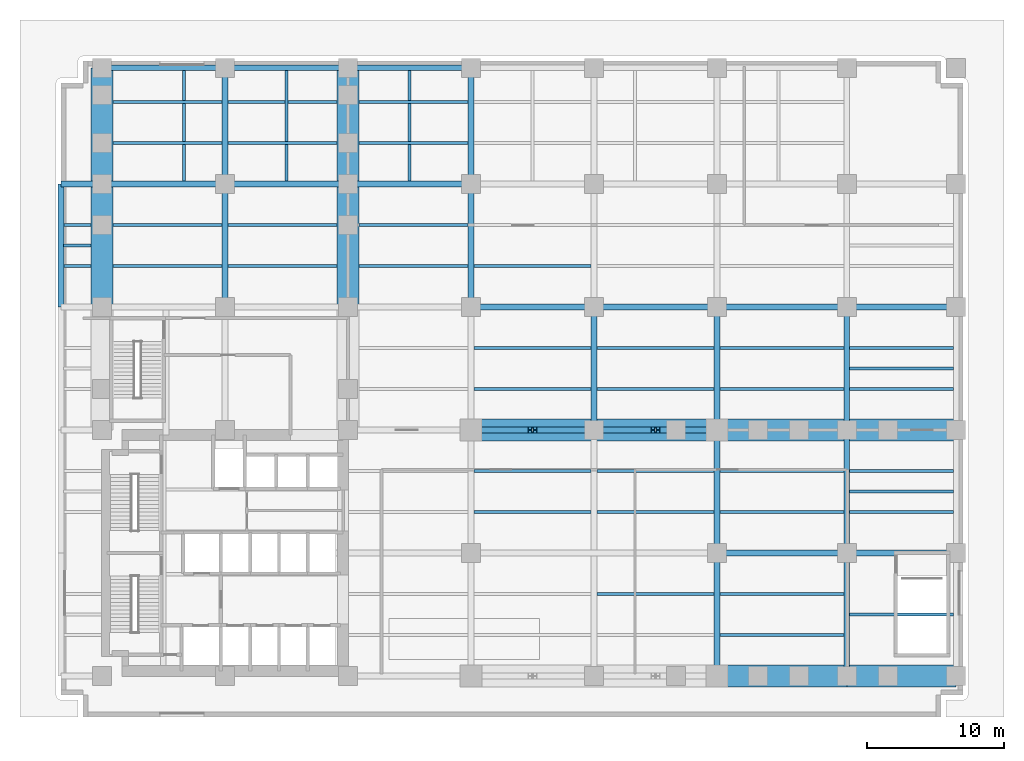
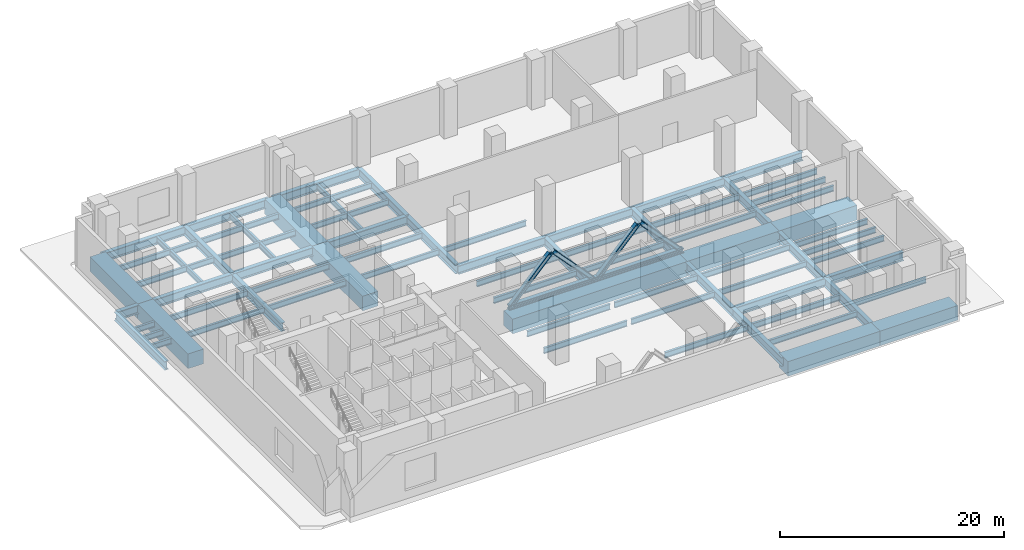
# One storey, part 2 of 8: 75 beams, 5 members.
"""IFC4 building model written with IfcOpenShell, lengths in metres."""

from ifc_helpers import new_model, si_unit, direction, frame, origin, origin_2d, place, context, subcontext, project, spatial, rectangle, i_section, extrude, material, material_profile, profile_set, type_object, element, save


model = new_model("IFC4")

# Units and contexts
model_context = context("Model", 3, precision=1e-05, world=origin(), true_north=direction((0.0, 1.0)))
body_context = subcontext(model_context, "Body", "Model", "MODEL_VIEW")
ifc_project = project(units=[si_unit("LENGTHUNIT", "METRE"), si_unit("AREAUNIT", "SQUARE_METRE"), si_unit("VOLUMEUNIT", "CUBIC_METRE"), si_unit("PLANEANGLEUNIT", "RADIAN"), si_unit("MASSUNIT", "GRAM", prefix="KILO")], contexts=[model_context])

# Site, building, storey
site_placement = place(None, origin())
site = spatial("IfcSite", under=ifc_project, at=site_placement, CompositionType="ELEMENT")
building_placement = place(site_placement, origin())
building = spatial("IfcBuilding", under=site, at=building_placement, Name="Mawjdan Bourse Tower", CompositionType="ELEMENT")
storey_placement = place(building_placement, frame((0.0, 0.0, 16.199951171875)))
storey = spatial("IfcBuildingStorey", under=building, at=storey_placement, Name="L03", CompositionType="ELEMENT", Elevation=16.199951171875)

# Members
ifc_material_1 = material(Name="Structural Steel S460", Category="steel")
ifc_material_profile_1 = material_profile(ifc_material_1, i_section(OverallWidth=0.406005859375, OverallDepth=0.416015625, WebThickness=0.02978515625, FlangeThickness=0.048095703125, FilletRadius=0.038330078125, at=origin_2d()), Name="W14X257")
ifc_profile_set_1 = profile_set([ifc_material_profile_1], Name="Structural Steel S460")
member_type_1 = type_object("IfcMemberType", Name="BRC-W14X257", PredefinedType="BRACE", material=ifc_profile_set_1)
for number, where, z_axis, x_axis, name in (
    (1, (33.179931640625, 21.0, 0.25), (0.682805863552, 0.0, 0.730599858129), (0.0, 1.0, 0.0), "L03 Tied-Arch Transfer Truss N Diagonal 1"),
    (2, (37.679931640625, 21.0, 4.679931640625), (0.682805863552, 0.0, -0.730599858129), (0.0, 1.0, 0.0), "L03 Tied-Arch Transfer Truss N Diagonal 2"),
    (3, (42.179931640625, 21.0, 0.25), (0.682805863552, 0.0, 0.730599858129), (0.0, 1.0, 0.0), "L03 Tied-Arch Transfer Truss N Diagonal 3"),
    (4, (46.679931640625, 21.0, 4.679931640625), (0.682805863552, 0.0, -0.730599858129), (0.0, 1.0, 0.0), "L03 Tied-Arch Transfer Truss N Diagonal 4"),
):
    element("IfcMember", number, at=place(storey_placement, frame(where, z_axis=z_axis, x_axis=x_axis)), inside=storey, type_object=member_type_1, Name=name, PredefinedType="BRACE", context=body_context, shape_type="SweptSolid", body=[
        extrude(i_section(OverallWidth=0.406005859375, OverallDepth=0.416015625, WebThickness=0.02978515625, FlangeThickness=0.048095703125, FilletRadius=0.038330078125, at=origin_2d()), origin(), (0.0, 0.0, 1.0), 6.0634765625),
    ])
ifc_material_profile_2 = material_profile(ifc_material_1, i_section(OverallWidth=0.431884765625, OverallDepth=0.498046875, WebThickness=0.0556640625, FlangeThickness=0.0888671875, FilletRadius=0.071044921875, at=origin_2d()), Name="W14X500")
ifc_profile_set_2 = profile_set([ifc_material_profile_2], Name="Structural Steel S460")
member_type_2 = type_object("IfcMemberType", Name="CHD-W14X500", PredefinedType="CHORD", material=ifc_profile_set_2)
member_placement = place(storey_placement, frame((33.0, 21.0, 0.25), z_axis=(1.0, 0.0, 0.0), x_axis=(0.0, 1.0, 0.0)))
element("IfcMember", 5, at=member_placement, inside=storey, type_object=member_type_2, Name="L03 Tied-Arch Transfer Truss N Bottom Chord", PredefinedType="CHORD", context=body_context, shape_type="SweptSolid", body=[
    extrude(i_section(OverallWidth=0.431884765625, OverallDepth=0.498046875, WebThickness=0.0556640625, FlangeThickness=0.0888671875, FilletRadius=0.071044921875, at=origin_2d()), origin(), (0.0, 0.0, 1.0), 18.0),
])

# Beams
ifc_material_profile_3 = material_profile(ifc_material_1, i_section(OverallWidth=0.423095703125, OverallDepth=0.93994140625, WebThickness=0.02392578125, FlangeThickness=0.042724609375, FilletRadius=0.0341796875, at=origin_2d()), Name="W36X302")
ifc_profile_set_3 = profile_set([ifc_material_profile_3], Name="Structural Steel S460")
beam_type_1 = type_object("IfcBeamType", Name="GRD-W36X302", PredefinedType="BEAM", material=ifc_profile_set_3)
for number, where, z_axis, x_axis, name in (
    (6, (3.0, 30.0, -1.070068359375), (0.0, 1.0, 0.0), (-1.0, 0.0, 0.0), "L03 Podium Primary Girder 020"),
    (7, (15.0, 30.0, -1.070068359375), (0.0, 1.0, 0.0), (-1.0, 0.0, 0.0), "L03 Podium Primary Girder 025"),
):
    element("IfcBeam", number, at=place(storey_placement, frame(where, z_axis=z_axis, x_axis=x_axis)), inside=storey, type_object=beam_type_1, Name=name, PredefinedType="BEAM", context=body_context, shape_type="SweptSolid", body=[
        extrude(i_section(OverallWidth=0.423095703125, OverallDepth=0.93994140625, WebThickness=0.02392578125, FlangeThickness=0.042724609375, FilletRadius=0.0341796875, at=origin_2d()), origin(), (0.0, 0.0, 1.0), 9.0),
    ])
beam_1_placement = place(storey_placement, frame((15.0, 39.0, -1.070068359375), z_axis=(0.0, 1.0, 0.0), x_axis=(-1.0, 0.0, 0.0)))
element("IfcBeam", 8, at=beam_1_placement, inside=storey, type_object=beam_type_1, Name="L03 Podium Primary Girder 026", PredefinedType="BEAM", context=body_context, shape_type="SweptSolid", body=[
    extrude(i_section(OverallWidth=0.423095703125, OverallDepth=0.93994140625, WebThickness=0.02392578125, FlangeThickness=0.042724609375, FilletRadius=0.0341796875, at=origin_2d()), origin(), (0.0, 0.0, 1.0), 8.5),
])
beam_2_placement = place(storey_placement, frame((33.0, 30.0, -1.070068359375), z_axis=(0.0, 1.0, 0.0), x_axis=(-1.0, 0.0, 0.0)))
element("IfcBeam", 9, at=beam_2_placement, inside=storey, type_object=beam_type_1, Name="L03 Podium Primary Girder 033", PredefinedType="BEAM", context=body_context, shape_type="SweptSolid", body=[
    extrude(i_section(OverallWidth=0.423095703125, OverallDepth=0.93994140625, WebThickness=0.02392578125, FlangeThickness=0.042724609375, FilletRadius=0.0341796875, at=origin_2d()), origin(), (0.0, 0.0, 1.0), 9.0),
])
beam_3_placement = place(storey_placement, frame((33.0, 39.0, -1.070068359375), z_axis=(0.0, 1.0, 0.0), x_axis=(-1.0, 0.0, 0.0)))
element("IfcBeam", 10, at=beam_3_placement, inside=storey, type_object=beam_type_1, Name="L03 Podium Primary Girder 034", PredefinedType="BEAM", context=body_context, shape_type="SweptSolid", body=[
    extrude(i_section(OverallWidth=0.423095703125, OverallDepth=0.93994140625, WebThickness=0.02392578125, FlangeThickness=0.042724609375, FilletRadius=0.0341796875, at=origin_2d()), origin(), (0.0, 0.0, 1.0), 8.5),
])
for number, where, z_axis, x_axis, name in (
    (11, (42.0, 21.0, -1.070068359375), (0.0, 1.0, 0.0), (-1.0, 0.0, 0.0), "L03 Podium Primary Girder 036"),
    (12, (51.0, 3.0, -1.070068359375), (0.0, 1.0, 0.0), (-1.0, 0.0, 0.0), "L03 Podium Primary Girder 039"),
    (13, (51.0, 12.0, -1.070068359375), (0.0, 1.0, 0.0), (-1.0, 0.0, 0.0), "L03 Podium Primary Girder 040"),
    (14, (51.0, 21.0, -1.070068359375), (0.0, 1.0, 0.0), (-1.0, 0.0, 0.0), "L03 Podium Primary Girder 041"),
    (15, (60.5, 3.0, -1.070068359375), (0.0, 1.0, 0.0), (-1.0, 0.0, 0.0), "L03 Podium Primary Girder 044"),
    (16, (60.5, 12.0, -1.070068359375), (0.0, 1.0, 0.0), (-1.0, 0.0, 0.0), "L03 Podium Primary Girder 045"),
    (17, (60.5, 21.0, -1.070068359375), (0.0, 1.0, 0.0), (-1.0, 0.0, 0.0), "L03 Podium Primary Girder 046"),
):
    element("IfcBeam", number, at=place(storey_placement, frame(where, z_axis=z_axis, x_axis=x_axis)), inside=storey, type_object=beam_type_1, Name=name, PredefinedType="BEAM", context=body_context, shape_type="SweptSolid", body=[
        extrude(i_section(OverallWidth=0.423095703125, OverallDepth=0.93994140625, WebThickness=0.02392578125, FlangeThickness=0.042724609375, FilletRadius=0.0341796875, at=origin_2d()), origin(), (0.0, 0.0, 1.0), 9.0),
    ])
beam_4_placement = place(storey_placement, frame((51.0, 12.0, -1.070068359375), z_axis=(1.0, 0.0, 0.0), x_axis=(0.0, 1.0, 0.0)))
element("IfcBeam", 18, at=beam_4_placement, inside=storey, type_object=beam_type_1, Name="L03 Podium Tie Girder 060", PredefinedType="BEAM", context=body_context, shape_type="SweptSolid", body=[
    extrude(i_section(OverallWidth=0.423095703125, OverallDepth=0.93994140625, WebThickness=0.02392578125, FlangeThickness=0.042724609375, FilletRadius=0.0341796875, at=origin_2d()), origin(), (0.0, 0.0, 1.0), 9.5),
])
beam_5_placement = place(storey_placement, frame((60.5, 12.0, -1.070068359375), z_axis=(1.0, 0.0, 0.0), x_axis=(0.0, 1.0, 0.0)))
element("IfcBeam", 19, at=beam_5_placement, inside=storey, type_object=beam_type_1, Name="L03 Podium Tie Girder 061", PredefinedType="BEAM", context=body_context, shape_type="SweptSolid", body=[
    extrude(i_section(OverallWidth=0.423095703125, OverallDepth=0.93994140625, WebThickness=0.02392578125, FlangeThickness=0.042724609375, FilletRadius=0.0341796875, at=origin_2d()), origin(), (0.0, 0.0, 1.0), 8.0),
])
for number, where, z_axis, x_axis, name in (
    (20, (33.0, 30.0, -1.070068359375), (1.0, 0.0, 0.0), (0.0, 1.0, 0.0), "L03 Podium Tie Girder 071"),
    (21, (42.0, 30.0, -1.070068359375), (1.0, 0.0, 0.0), (0.0, 1.0, 0.0), "L03 Podium Tie Girder 072"),
):
    element("IfcBeam", number, at=place(storey_placement, frame(where, z_axis=z_axis, x_axis=x_axis)), inside=storey, type_object=beam_type_1, Name=name, PredefinedType="BEAM", context=body_context, shape_type="SweptSolid", body=[
        extrude(i_section(OverallWidth=0.423095703125, OverallDepth=0.93994140625, WebThickness=0.02392578125, FlangeThickness=0.042724609375, FilletRadius=0.0341796875, at=origin_2d()), origin(), (0.0, 0.0, 1.0), 9.0),
    ])
beam_6_placement = place(storey_placement, frame((51.0, 30.0, -1.070068359375), z_axis=(1.0, 0.0, 0.0), x_axis=(0.0, 1.0, 0.0)))
element("IfcBeam", 22, at=beam_6_placement, inside=storey, type_object=beam_type_1, Name="L03 Podium Tie Girder 073", PredefinedType="BEAM", context=body_context, shape_type="SweptSolid", body=[
    extrude(i_section(OverallWidth=0.423095703125, OverallDepth=0.93994140625, WebThickness=0.02392578125, FlangeThickness=0.042724609375, FilletRadius=0.0341796875, at=origin_2d()), origin(), (0.0, 0.0, 1.0), 9.5),
])
beam_7_placement = place(storey_placement, frame((60.5, 30.0, -1.070068359375), z_axis=(1.0, 0.0, 0.0), x_axis=(0.0, 1.0, 0.0)))
element("IfcBeam", 23, at=beam_7_placement, inside=storey, type_object=beam_type_1, Name="L03 Podium Tie Girder 074", PredefinedType="BEAM", context=body_context, shape_type="SweptSolid", body=[
    extrude(i_section(OverallWidth=0.423095703125, OverallDepth=0.93994140625, WebThickness=0.02392578125, FlangeThickness=0.042724609375, FilletRadius=0.0341796875, at=origin_2d()), origin(), (0.0, 0.0, 1.0), 8.0),
])
beam_8_placement = place(storey_placement, frame((3.0, 39.0, -1.070068359375), z_axis=(1.0, 0.0, 0.0), x_axis=(0.0, 1.0, 0.0)))
element("IfcBeam", 24, at=beam_8_placement, inside=storey, type_object=beam_type_1, Name="L03 Podium Tie Girder 075", PredefinedType="BEAM", context=body_context, shape_type="SweptSolid", body=[
    extrude(i_section(OverallWidth=0.423095703125, OverallDepth=0.93994140625, WebThickness=0.02392578125, FlangeThickness=0.042724609375, FilletRadius=0.0341796875, at=origin_2d()), origin(), (0.0, 0.0, 1.0), 3.0),
])
for number, where, z_axis, x_axis, name in (
    (25, (6.35009765625, 39.0, -1.070068359375), (1.0, 0.0, 0.0), (0.0, 1.0, 0.0), "L03 Podium Tie Girder 076"),
    (26, (15.0, 39.0, -1.070068359375), (1.0, 0.0, 0.0), (0.0, 1.0, 0.0), "L03 Podium Tie Girder 077"),
):
    element("IfcBeam", number, at=place(storey_placement, frame(where, z_axis=z_axis, x_axis=x_axis)), inside=storey, type_object=beam_type_1, Name=name, PredefinedType="BEAM", context=body_context, shape_type="SweptSolid", body=[
        extrude(i_section(OverallWidth=0.423095703125, OverallDepth=0.93994140625, WebThickness=0.02392578125, FlangeThickness=0.042724609375, FilletRadius=0.0341796875, at=origin_2d()), origin(), (0.0, 0.0, 1.0), 8.64990234375),
    ])
beam_9_placement = place(storey_placement, frame((24.0, 39.0, -1.070068359375), z_axis=(1.0, 0.0, 0.0), x_axis=(0.0, 1.0, 0.0)))
element("IfcBeam", 27, at=beam_9_placement, inside=storey, type_object=beam_type_1, Name="L03 Podium Tie Girder 078", PredefinedType="BEAM", context=body_context, shape_type="SweptSolid", body=[
    extrude(i_section(OverallWidth=0.423095703125, OverallDepth=0.93994140625, WebThickness=0.02392578125, FlangeThickness=0.042724609375, FilletRadius=0.0341796875, at=origin_2d()), origin(), (0.0, 0.0, 1.0), 9.0),
])
for number, where, z_axis, x_axis, name in (
    (28, (6.35009765625, 47.5, -1.070068359375), (1.0, 0.0, 0.0), (0.0, 1.0, 0.0), "L03 Podium Tie Girder 083"),
    (29, (15.0, 47.5, -1.070068359375), (1.0, 0.0, 0.0), (0.0, 1.0, 0.0), "L03 Podium Tie Girder 084"),
):
    element("IfcBeam", number, at=place(storey_placement, frame(where, z_axis=z_axis, x_axis=x_axis)), inside=storey, type_object=beam_type_1, Name=name, PredefinedType="BEAM", context=body_context, shape_type="SweptSolid", body=[
        extrude(i_section(OverallWidth=0.423095703125, OverallDepth=0.93994140625, WebThickness=0.02392578125, FlangeThickness=0.042724609375, FilletRadius=0.0341796875, at=origin_2d()), origin(), (0.0, 0.0, 1.0), 8.64990234375),
    ])
beam_10_placement = place(storey_placement, frame((24.0, 47.5, -1.070068359375), z_axis=(1.0, 0.0, 0.0), x_axis=(0.0, 1.0, 0.0)))
element("IfcBeam", 30, at=beam_10_placement, inside=storey, type_object=beam_type_1, Name="L03 Podium Tie Girder 085", PredefinedType="BEAM", context=body_context, shape_type="SweptSolid", body=[
    extrude(i_section(OverallWidth=0.423095703125, OverallDepth=0.93994140625, WebThickness=0.02392578125, FlangeThickness=0.042724609375, FilletRadius=0.0341796875, at=origin_2d()), origin(), (0.0, 0.0, 1.0), 9.0),
])
ifc_material_2 = material(Name="Structural Steel S355", Category="steel")
ifc_material_profile_4 = material_profile(ifc_material_2, i_section(OverallWidth=0.22998046875, OverallDepth=0.616943359375, WebThickness=0.01318359375, FlangeThickness=0.022216796875, FilletRadius=0.017822265625, at=origin_2d()), Name="W24X94")
ifc_profile_set_4 = profile_set([ifc_material_profile_4], Name="Structural Steel S355")
beam_type_2 = type_object("IfcBeamType", Name="JST-W24X94", PredefinedType="JOIST", material=ifc_profile_set_4)
for number, where, z_axis, x_axis, name in (
    (31, (60.70947265625, 7.5, -0.908447265625), (1.0, 0.0, 0.0), (0.0, 1.0, 0.0), "L03 L03 East Setback Joist 004"),
    (32, (60.70947265625, 16.5, -0.908447265625), (1.0, 0.0, 0.0), (0.0, 1.0, 0.0), "L03 L03 East Setback Joist 006"),
    (33, (60.70947265625, 25.5, -0.908447265625), (1.0, 0.0, 0.0), (0.0, 1.0, 0.0), "L03 L03 East Setback Joist 008"),
):
    element("IfcBeam", number, at=place(storey_placement, frame(where, z_axis=z_axis, x_axis=x_axis)), inside=storey, type_object=beam_type_2, Name=name, PredefinedType="JOIST", context=body_context, shape_type="SweptSolid", body=[
        extrude(i_section(OverallWidth=0.22998046875, OverallDepth=0.616943359375, WebThickness=0.01318359375, FlangeThickness=0.022216796875, FilletRadius=0.017822265625, at=origin_2d()), origin(), (0.0, 0.0, 1.0), 7.5810546875),
    ])
beam_11_placement = place(storey_placement, frame((3.199951171875, 34.5, -0.908447265625), z_axis=(1.0, 0.0, 0.0), x_axis=(0.0, 1.0, 0.0)))
element("IfcBeam", 34, at=beam_11_placement, inside=storey, type_object=beam_type_2, Name="L03 L03 West Setback Joist 009", PredefinedType="JOIST", context=body_context, shape_type="SweptSolid", body=[
    extrude(i_section(OverallWidth=0.22998046875, OverallDepth=0.616943359375, WebThickness=0.01318359375, FlangeThickness=0.022216796875, FilletRadius=0.017822265625, at=origin_2d()), origin(), (0.0, 0.0, 1.0), 2.001953125),
])
for number, where, z_axis, x_axis, name in (
    (35, (12.0, 39.20947265625, -0.908447265625), (0.0, 1.0, 0.0), (-1.0, 0.0, 0.0), "L03 L03 North Setback Joist 011"),
    (36, (19.5, 39.20947265625, -0.908447265625), (0.0, 1.0, 0.0), (-1.0, 0.0, 0.0), "L03 L03 North Setback Joist 012"),
    (37, (28.5, 39.20947265625, -0.908447265625), (0.0, 1.0, 0.0), (-1.0, 0.0, 0.0), "L03 L03 North Setback Joist 013"),
):
    element("IfcBeam", number, at=place(storey_placement, frame(where, z_axis=z_axis, x_axis=x_axis)), inside=storey, type_object=beam_type_2, Name=name, PredefinedType="JOIST", context=body_context, shape_type="SweptSolid", body=[
        extrude(i_section(OverallWidth=0.22998046875, OverallDepth=0.616943359375, WebThickness=0.01318359375, FlangeThickness=0.022216796875, FilletRadius=0.017822265625, at=origin_2d()), origin(), (0.0, 0.0, 1.0), 8.0810546875),
    ])
beam_12_placement = place(storey_placement, frame((51.20947265625, 6.0, -0.908447265625), z_axis=(1.0, 0.0, 0.0), x_axis=(0.0, 1.0, 0.0)))
element("IfcBeam", 38, at=beam_12_placement, inside=storey, type_object=beam_type_2, Name="L03 Composite Floor Joist 093", PredefinedType="JOIST", context=body_context, shape_type="SweptSolid", body=[
    extrude(i_section(OverallWidth=0.22998046875, OverallDepth=0.616943359375, WebThickness=0.01318359375, FlangeThickness=0.022216796875, FilletRadius=0.017822265625, at=origin_2d()), origin(), (0.0, 0.0, 1.0), 9.0810546875),
])
beam_13_placement = place(storey_placement, frame((42.20947265625, 9.0, -0.908447265625), z_axis=(1.0, 0.0, 0.0), x_axis=(0.0, 1.0, 0.0)))
element("IfcBeam", 39, at=beam_13_placement, inside=storey, type_object=beam_type_2, Name="L03 Composite Floor Joist 097", PredefinedType="JOIST", context=body_context, shape_type="SweptSolid", body=[
    extrude(i_section(OverallWidth=0.22998046875, OverallDepth=0.616943359375, WebThickness=0.01318359375, FlangeThickness=0.022216796875, FilletRadius=0.017822265625, at=origin_2d()), origin(), (0.0, 0.0, 1.0), 8.5810546875),
])
beam_14_placement = place(storey_placement, frame((51.20947265625, 9.0, -0.908447265625), z_axis=(1.0, 0.0, 0.0), x_axis=(0.0, 1.0, 0.0)))
element("IfcBeam", 40, at=beam_14_placement, inside=storey, type_object=beam_type_2, Name="L03 Composite Floor Joist 098", PredefinedType="JOIST", context=body_context, shape_type="SweptSolid", body=[
    extrude(i_section(OverallWidth=0.22998046875, OverallDepth=0.616943359375, WebThickness=0.01318359375, FlangeThickness=0.022216796875, FilletRadius=0.017822265625, at=origin_2d()), origin(), (0.0, 0.0, 1.0), 9.0810546875),
])
for number, where, z_axis, x_axis, name in (
    (41, (33.20947265625, 15.0, -0.908447265625), (1.0, 0.0, 0.0), (0.0, 1.0, 0.0), "L03 Composite Floor Joist 101"),
    (42, (42.20947265625, 15.0, -0.908447265625), (1.0, 0.0, 0.0), (0.0, 1.0, 0.0), "L03 Composite Floor Joist 102"),
):
    element("IfcBeam", number, at=place(storey_placement, frame(where, z_axis=z_axis, x_axis=x_axis)), inside=storey, type_object=beam_type_2, Name=name, PredefinedType="JOIST", context=body_context, shape_type="SweptSolid", body=[
        extrude(i_section(OverallWidth=0.22998046875, OverallDepth=0.616943359375, WebThickness=0.01318359375, FlangeThickness=0.022216796875, FilletRadius=0.017822265625, at=origin_2d()), origin(), (0.0, 0.0, 1.0), 8.5810546875),
    ])
beam_15_placement = place(storey_placement, frame((51.20947265625, 15.0, -0.908447265625), z_axis=(1.0, 0.0, 0.0), x_axis=(0.0, 1.0, 0.0)))
element("IfcBeam", 43, at=beam_15_placement, inside=storey, type_object=beam_type_2, Name="L03 Composite Floor Joist 103", PredefinedType="JOIST", context=body_context, shape_type="SweptSolid", body=[
    extrude(i_section(OverallWidth=0.22998046875, OverallDepth=0.616943359375, WebThickness=0.01318359375, FlangeThickness=0.022216796875, FilletRadius=0.017822265625, at=origin_2d()), origin(), (0.0, 0.0, 1.0), 9.0810546875),
])
beam_16_placement = place(storey_placement, frame((60.70947265625, 15.0, -0.908447265625), z_axis=(1.0, 0.0, 0.0), x_axis=(0.0, 1.0, 0.0)))
element("IfcBeam", 44, at=beam_16_placement, inside=storey, type_object=beam_type_2, Name="L03 Composite Floor Joist 104", PredefinedType="JOIST", context=body_context, shape_type="SweptSolid", body=[
    extrude(i_section(OverallWidth=0.22998046875, OverallDepth=0.616943359375, WebThickness=0.01318359375, FlangeThickness=0.022216796875, FilletRadius=0.017822265625, at=origin_2d()), origin(), (0.0, 0.0, 1.0), 7.5810546875),
])
for number, where, z_axis, x_axis, name in (
    (45, (33.20947265625, 18.0, -0.908447265625), (1.0, 0.0, 0.0), (0.0, 1.0, 0.0), "L03 Composite Floor Joist 107"),
    (46, (42.20947265625, 18.0, -0.908447265625), (1.0, 0.0, 0.0), (0.0, 1.0, 0.0), "L03 Composite Floor Joist 108"),
):
    element("IfcBeam", number, at=place(storey_placement, frame(where, z_axis=z_axis, x_axis=x_axis)), inside=storey, type_object=beam_type_2, Name=name, PredefinedType="JOIST", context=body_context, shape_type="SweptSolid", body=[
        extrude(i_section(OverallWidth=0.22998046875, OverallDepth=0.616943359375, WebThickness=0.01318359375, FlangeThickness=0.022216796875, FilletRadius=0.017822265625, at=origin_2d()), origin(), (0.0, 0.0, 1.0), 8.5810546875),
    ])
beam_17_placement = place(storey_placement, frame((51.20947265625, 18.0, -0.908447265625), z_axis=(1.0, 0.0, 0.0), x_axis=(0.0, 1.0, 0.0)))
element("IfcBeam", 47, at=beam_17_placement, inside=storey, type_object=beam_type_2, Name="L03 Composite Floor Joist 109", PredefinedType="JOIST", context=body_context, shape_type="SweptSolid", body=[
    extrude(i_section(OverallWidth=0.22998046875, OverallDepth=0.616943359375, WebThickness=0.01318359375, FlangeThickness=0.022216796875, FilletRadius=0.017822265625, at=origin_2d()), origin(), (0.0, 0.0, 1.0), 9.0810546875),
])
beam_18_placement = place(storey_placement, frame((60.70947265625, 18.0, -0.908447265625), z_axis=(1.0, 0.0, 0.0), x_axis=(0.0, 1.0, 0.0)))
element("IfcBeam", 48, at=beam_18_placement, inside=storey, type_object=beam_type_2, Name="L03 Composite Floor Joist 110", PredefinedType="JOIST", context=body_context, shape_type="SweptSolid", body=[
    extrude(i_section(OverallWidth=0.22998046875, OverallDepth=0.616943359375, WebThickness=0.01318359375, FlangeThickness=0.022216796875, FilletRadius=0.017822265625, at=origin_2d()), origin(), (0.0, 0.0, 1.0), 7.5810546875),
])
for number, where, z_axis, x_axis, name in (
    (49, (33.20947265625, 24.0, -0.908447265625), (1.0, 0.0, 0.0), (0.0, 1.0, 0.0), "L03 Composite Floor Joist 113"),
    (50, (42.20947265625, 24.0, -0.908447265625), (1.0, 0.0, 0.0), (0.0, 1.0, 0.0), "L03 Composite Floor Joist 114"),
):
    element("IfcBeam", number, at=place(storey_placement, frame(where, z_axis=z_axis, x_axis=x_axis)), inside=storey, type_object=beam_type_2, Name=name, PredefinedType="JOIST", context=body_context, shape_type="SweptSolid", body=[
        extrude(i_section(OverallWidth=0.22998046875, OverallDepth=0.616943359375, WebThickness=0.01318359375, FlangeThickness=0.022216796875, FilletRadius=0.017822265625, at=origin_2d()), origin(), (0.0, 0.0, 1.0), 8.5810546875),
    ])
beam_19_placement = place(storey_placement, frame((51.20947265625, 24.0, -0.908447265625), z_axis=(1.0, 0.0, 0.0), x_axis=(0.0, 1.0, 0.0)))
element("IfcBeam", 51, at=beam_19_placement, inside=storey, type_object=beam_type_2, Name="L03 Composite Floor Joist 115", PredefinedType="JOIST", context=body_context, shape_type="SweptSolid", body=[
    extrude(i_section(OverallWidth=0.22998046875, OverallDepth=0.616943359375, WebThickness=0.01318359375, FlangeThickness=0.022216796875, FilletRadius=0.017822265625, at=origin_2d()), origin(), (0.0, 0.0, 1.0), 9.0810546875),
])
beam_20_placement = place(storey_placement, frame((60.70947265625, 24.0, -0.908447265625), z_axis=(1.0, 0.0, 0.0), x_axis=(0.0, 1.0, 0.0)))
element("IfcBeam", 52, at=beam_20_placement, inside=storey, type_object=beam_type_2, Name="L03 Composite Floor Joist 116", PredefinedType="JOIST", context=body_context, shape_type="SweptSolid", body=[
    extrude(i_section(OverallWidth=0.22998046875, OverallDepth=0.616943359375, WebThickness=0.01318359375, FlangeThickness=0.022216796875, FilletRadius=0.017822265625, at=origin_2d()), origin(), (0.0, 0.0, 1.0), 7.5810546875),
])
for number, where, z_axis, x_axis, name in (
    (53, (33.20947265625, 27.0, -0.908447265625), (1.0, 0.0, 0.0), (0.0, 1.0, 0.0), "L03 Composite Floor Joist 119"),
    (54, (42.20947265625, 27.0, -0.908447265625), (1.0, 0.0, 0.0), (0.0, 1.0, 0.0), "L03 Composite Floor Joist 120"),
):
    element("IfcBeam", number, at=place(storey_placement, frame(where, z_axis=z_axis, x_axis=x_axis)), inside=storey, type_object=beam_type_2, Name=name, PredefinedType="JOIST", context=body_context, shape_type="SweptSolid", body=[
        extrude(i_section(OverallWidth=0.22998046875, OverallDepth=0.616943359375, WebThickness=0.01318359375, FlangeThickness=0.022216796875, FilletRadius=0.017822265625, at=origin_2d()), origin(), (0.0, 0.0, 1.0), 8.5810546875),
    ])
beam_21_placement = place(storey_placement, frame((51.20947265625, 27.0, -0.908447265625), z_axis=(1.0, 0.0, 0.0), x_axis=(0.0, 1.0, 0.0)))
element("IfcBeam", 55, at=beam_21_placement, inside=storey, type_object=beam_type_2, Name="L03 Composite Floor Joist 121", PredefinedType="JOIST", context=body_context, shape_type="SweptSolid", body=[
    extrude(i_section(OverallWidth=0.22998046875, OverallDepth=0.616943359375, WebThickness=0.01318359375, FlangeThickness=0.022216796875, FilletRadius=0.017822265625, at=origin_2d()), origin(), (0.0, 0.0, 1.0), 9.0810546875),
])
beam_22_placement = place(storey_placement, frame((60.70947265625, 27.0, -0.908447265625), z_axis=(1.0, 0.0, 0.0), x_axis=(0.0, 1.0, 0.0)))
element("IfcBeam", 56, at=beam_22_placement, inside=storey, type_object=beam_type_2, Name="L03 Composite Floor Joist 122", PredefinedType="JOIST", context=body_context, shape_type="SweptSolid", body=[
    extrude(i_section(OverallWidth=0.22998046875, OverallDepth=0.616943359375, WebThickness=0.01318359375, FlangeThickness=0.022216796875, FilletRadius=0.017822265625, at=origin_2d()), origin(), (0.0, 0.0, 1.0), 7.5810546875),
])
beam_23_placement = place(storey_placement, frame((3.20947265625, 33.0, -0.908447265625), z_axis=(1.0, 0.0, 0.0), x_axis=(0.0, 1.0, 0.0)))
element("IfcBeam", 57, at=beam_23_placement, inside=storey, type_object=beam_type_2, Name="L03 Composite Floor Joist 123", PredefinedType="JOIST", context=body_context, shape_type="SweptSolid", body=[
    extrude(i_section(OverallWidth=0.22998046875, OverallDepth=0.616943359375, WebThickness=0.01318359375, FlangeThickness=0.022216796875, FilletRadius=0.017822265625, at=origin_2d()), origin(), (0.0, 0.0, 1.0), 1.992431640625),
])
for number, where, z_axis, x_axis, name in (
    (58, (6.798095703125, 33.0, -0.908447265625), (1.0, 0.0, 0.0), (0.0, 1.0, 0.0), "L03 Composite Floor Joist 124"),
    (59, (15.20947265625, 33.0, -0.908447265625), (1.0, 0.0, 0.0), (0.0, 1.0, 0.0), "L03 Composite Floor Joist 125"),
    (60, (24.798095703125, 33.0, -0.908447265625), (1.0, 0.0, 0.0), (0.0, 1.0, 0.0), "L03 Composite Floor Joist 126"),
):
    element("IfcBeam", number, at=place(storey_placement, frame(where, z_axis=z_axis, x_axis=x_axis)), inside=storey, type_object=beam_type_2, Name=name, PredefinedType="JOIST", context=body_context, shape_type="SweptSolid", body=[
        extrude(i_section(OverallWidth=0.22998046875, OverallDepth=0.616943359375, WebThickness=0.01318359375, FlangeThickness=0.022216796875, FilletRadius=0.017822265625, at=origin_2d()), origin(), (0.0, 0.0, 1.0), 7.992431640625),
    ])
beam_24_placement = place(storey_placement, frame((33.20947265625, 33.0, -0.908447265625), z_axis=(1.0, 0.0, 0.0), x_axis=(0.0, 1.0, 0.0)))
element("IfcBeam", 61, at=beam_24_placement, inside=storey, type_object=beam_type_2, Name="L03 Composite Floor Joist 127", PredefinedType="JOIST", context=body_context, shape_type="SweptSolid", body=[
    extrude(i_section(OverallWidth=0.22998046875, OverallDepth=0.616943359375, WebThickness=0.01318359375, FlangeThickness=0.022216796875, FilletRadius=0.017822265625, at=origin_2d()), origin(), (0.0, 0.0, 1.0), 8.5810546875),
])
beam_25_placement = place(storey_placement, frame((3.20947265625, 36.0, -0.908447265625), z_axis=(1.0, 0.0, 0.0), x_axis=(0.0, 1.0, 0.0)))
element("IfcBeam", 62, at=beam_25_placement, inside=storey, type_object=beam_type_2, Name="L03 Composite Floor Joist 131", PredefinedType="JOIST", context=body_context, shape_type="SweptSolid", body=[
    extrude(i_section(OverallWidth=0.22998046875, OverallDepth=0.616943359375, WebThickness=0.01318359375, FlangeThickness=0.022216796875, FilletRadius=0.017822265625, at=origin_2d()), origin(), (0.0, 0.0, 1.0), 1.992431640625),
])
for number, where, z_axis, x_axis, name in (
    (63, (6.798095703125, 36.0, -0.908447265625), (1.0, 0.0, 0.0), (0.0, 1.0, 0.0), "L03 Composite Floor Joist 132"),
    (64, (15.20947265625, 36.0, -0.908447265625), (1.0, 0.0, 0.0), (0.0, 1.0, 0.0), "L03 Composite Floor Joist 133"),
    (65, (24.798095703125, 36.0, -0.908447265625), (1.0, 0.0, 0.0), (0.0, 1.0, 0.0), "L03 Composite Floor Joist 134"),
    (66, (6.798095703125, 42.0, -0.908447265625), (1.0, 0.0, 0.0), (0.0, 1.0, 0.0), "L03 Composite Floor Joist 139"),
    (67, (15.20947265625, 42.0, -0.908447265625), (1.0, 0.0, 0.0), (0.0, 1.0, 0.0), "L03 Composite Floor Joist 140"),
    (68, (24.798095703125, 42.0, -0.908447265625), (1.0, 0.0, 0.0), (0.0, 1.0, 0.0), "L03 Composite Floor Joist 141"),
    (69, (6.798095703125, 45.0, -0.908447265625), (1.0, 0.0, 0.0), (0.0, 1.0, 0.0), "L03 Composite Floor Joist 145"),
    (70, (15.20947265625, 45.0, -0.908447265625), (1.0, 0.0, 0.0), (0.0, 1.0, 0.0), "L03 Composite Floor Joist 146"),
    (71, (24.798095703125, 45.0, -0.908447265625), (1.0, 0.0, 0.0), (0.0, 1.0, 0.0), "L03 Composite Floor Joist 147"),
):
    element("IfcBeam", number, at=place(storey_placement, frame(where, z_axis=z_axis, x_axis=x_axis)), inside=storey, type_object=beam_type_2, Name=name, PredefinedType="JOIST", context=body_context, shape_type="SweptSolid", body=[
        extrude(i_section(OverallWidth=0.22998046875, OverallDepth=0.616943359375, WebThickness=0.01318359375, FlangeThickness=0.022216796875, FilletRadius=0.017822265625, at=origin_2d()), origin(), (0.0, 0.0, 1.0), 7.992431640625),
    ])
ifc_material_3 = material(Name="Concrete C60/75", Category="concrete")
ifc_material_profile_5 = material_profile(ifc_material_3, rectangle(XDim=1.60009765625, YDim=1.60009765625, at=origin_2d()), Name="RC1600X1600")
ifc_profile_set_5 = profile_set([ifc_material_profile_5], Name="Concrete C60/75")
beam_type_3 = type_object("IfcBeamType", Name="XFR-GRD-RC1600X1600", PredefinedType="BEAM", material=ifc_profile_set_5)
beam_26_placement = place(storey_placement, frame((6.0, 30.0, -1.39990234375), z_axis=(0.0, 1.0, 0.0), x_axis=(-1.0, 0.0, 0.0)))
element("IfcBeam", 72, at=beam_26_placement, inside=storey, type_object=beam_type_3, Name="L03 L03 North Wing Transfer Girder 022", PredefinedType="BEAM", context=body_context, shape_type="SweptSolid", body=[
    extrude(rectangle(XDim=1.60009765625, YDim=1.60009765625, at=origin_2d()), origin(), (0.0, 0.0, 1.0), 9.0),
])
beam_27_placement = place(storey_placement, frame((6.0, 39.0, -1.39990234375), z_axis=(0.0, 1.0, 0.0), x_axis=(-1.0, 0.0, 0.0)))
element("IfcBeam", 73, at=beam_27_placement, inside=storey, type_object=beam_type_3, Name="L03 L03 North Wing Transfer Girder 023", PredefinedType="BEAM", context=body_context, shape_type="SweptSolid", body=[
    extrude(rectangle(XDim=1.60009765625, YDim=1.60009765625, at=origin_2d()), origin(), (0.0, 0.0, 1.0), 8.5),
])
beam_28_placement = place(storey_placement, frame((24.0, 30.0, -1.39990234375), z_axis=(0.0, 1.0, 0.0), x_axis=(-1.0, 0.0, 0.0)))
element("IfcBeam", 74, at=beam_28_placement, inside=storey, type_object=beam_type_3, Name="L03 L03 North Wing Transfer Girder 028", PredefinedType="BEAM", context=body_context, shape_type="SweptSolid", body=[
    extrude(rectangle(XDim=1.60009765625, YDim=1.60009765625, at=origin_2d()), origin(), (0.0, 0.0, 1.0), 9.0),
])
beam_29_placement = place(storey_placement, frame((24.0, 39.0, -1.39990234375), z_axis=(0.0, 1.0, 0.0), x_axis=(-1.0, 0.0, 0.0)))
element("IfcBeam", 75, at=beam_29_placement, inside=storey, type_object=beam_type_3, Name="L03 L03 North Wing Transfer Girder 029", PredefinedType="BEAM", context=body_context, shape_type="SweptSolid", body=[
    extrude(rectangle(XDim=1.60009765625, YDim=1.60009765625, at=origin_2d()), origin(), (0.0, 0.0, 1.0), 8.5),
])
beam_30_placement = place(storey_placement, frame((51.0, 3.0, -1.39990234375), z_axis=(1.0, 0.0, 0.0), x_axis=(0.0, 1.0, 0.0)))
element("IfcBeam", 76, at=beam_30_placement, inside=storey, type_object=beam_type_3, Name="L03 L03 Tied-Arch Transfer Girder 056", PredefinedType="BEAM", context=body_context, shape_type="SweptSolid", body=[
    extrude(rectangle(XDim=1.60009765625, YDim=1.60009765625, at=origin_2d()), origin(), (0.0, 0.0, 1.0), 9.5),
])
beam_31_placement = place(storey_placement, frame((60.5, 3.0, -1.39990234375), z_axis=(1.0, 0.0, 0.0), x_axis=(0.0, 1.0, 0.0)))
element("IfcBeam", 77, at=beam_31_placement, inside=storey, type_object=beam_type_3, Name="L03 L03 Tied-Arch Transfer Girder 057", PredefinedType="BEAM", context=body_context, shape_type="SweptSolid", body=[
    extrude(rectangle(XDim=1.60009765625, YDim=1.60009765625, at=origin_2d()), origin(), (0.0, 0.0, 1.0), 8.0),
])
beam_32_placement = place(storey_placement, frame((33.0, 21.0, -1.39990234375), z_axis=(1.0, 0.0, 0.0), x_axis=(0.0, 1.0, 0.0)))
element("IfcBeam", 78, at=beam_32_placement, inside=storey, type_object=beam_type_3, Name="L03 L03 Tied-Arch Transfer Girder 064", PredefinedType="BEAM", context=body_context, shape_type="SweptSolid", body=[
    extrude(rectangle(XDim=1.60009765625, YDim=1.60009765625, at=origin_2d()), origin(), (0.0, 0.0, 1.0), 18.0),
])
beam_33_placement = place(storey_placement, frame((51.0, 21.0, -1.39990234375), z_axis=(1.0, 0.0, 0.0), x_axis=(0.0, 1.0, 0.0)))
element("IfcBeam", 79, at=beam_33_placement, inside=storey, type_object=beam_type_3, Name="L03 L03 Tied-Arch Transfer Girder 065", PredefinedType="BEAM", context=body_context, shape_type="SweptSolid", body=[
    extrude(rectangle(XDim=1.60009765625, YDim=1.60009765625, at=origin_2d()), origin(), (0.0, 0.0, 1.0), 9.5),
])
beam_34_placement = place(storey_placement, frame((60.5, 21.0, -1.39990234375), z_axis=(1.0, 0.0, 0.0), x_axis=(0.0, 1.0, 0.0)))
element("IfcBeam", 80, at=beam_34_placement, inside=storey, type_object=beam_type_3, Name="L03 L03 Tied-Arch Transfer Girder 066", PredefinedType="BEAM", context=body_context, shape_type="SweptSolid", body=[
    extrude(rectangle(XDim=1.60009765625, YDim=1.60009765625, at=origin_2d()), origin(), (0.0, 0.0, 1.0), 8.0),
])

save(model, "model.ifc")
